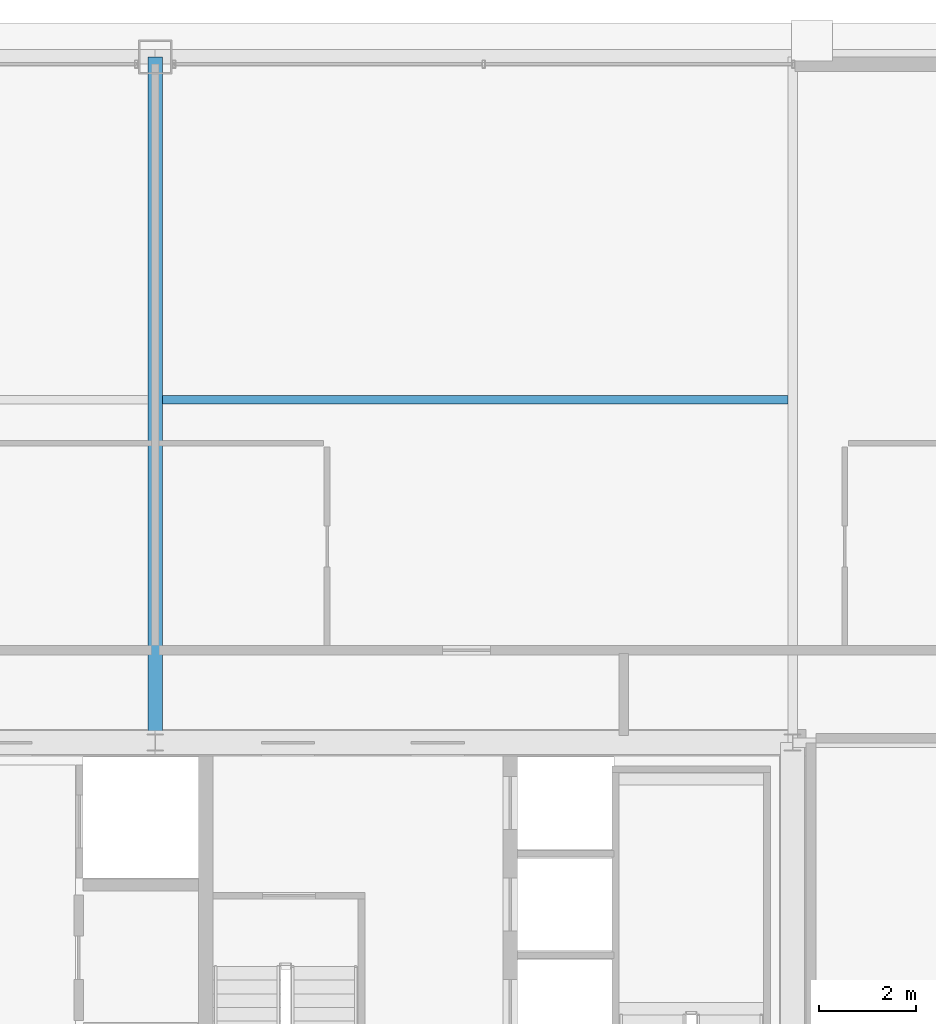
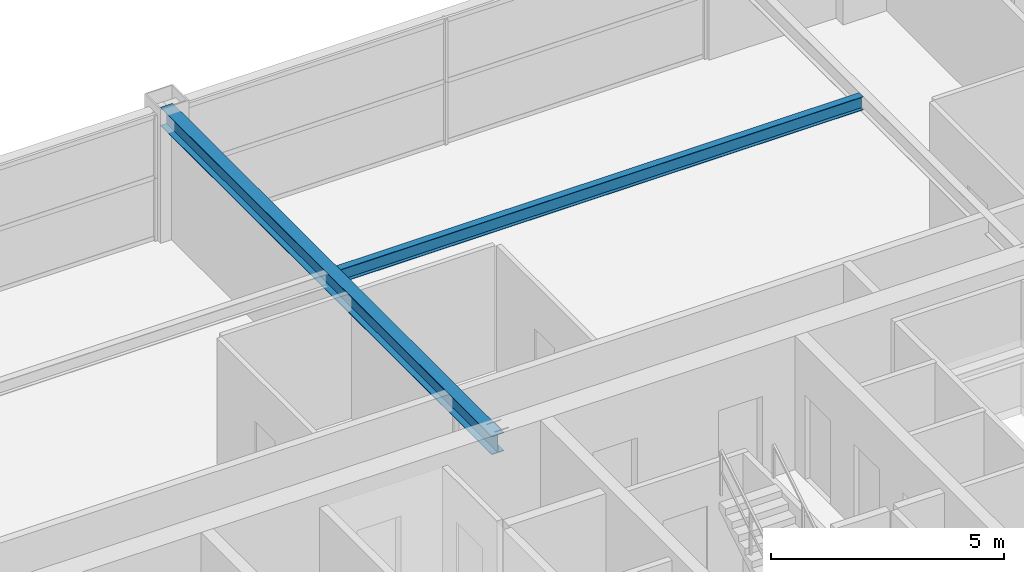
# One storey, part 28 of 37: 2 beams.
"""IFC4 building model written with IfcOpenShell, lengths in metres."""

from ifc_helpers import new_model, si_unit, direction, frame, origin, origin_2d, place, context, subcontext, project, spatial, i_section, extrude, source, transform, mapped, material, material_profile, profile_set, type_object, element, save


model = new_model("IFC4")

# Units and contexts
model_context = context("Model", 3, precision=1e-05, world=origin(), true_north=direction((0.0, 1.0)))
body_context = subcontext(model_context, "Body", "Model", "MODEL_VIEW")
ifc_project = project(units=[si_unit("LENGTHUNIT", "METRE"), si_unit("AREAUNIT", "SQUARE_METRE"), si_unit("VOLUMEUNIT", "CUBIC_METRE"), si_unit("PLANEANGLEUNIT", "RADIAN"), si_unit("MASSUNIT", "GRAM", prefix="KILO"), si_unit("THERMODYNAMICTEMPERATUREUNIT", "KELVIN"), si_unit("POWERUNIT", "WATT")], contexts=[model_context])

# Site, building, storey
site_placement = place(None, origin())
site = spatial("IfcSite", under=ifc_project, at=site_placement, CompositionType="ELEMENT")
building_placement = place(site_placement, origin())
building = spatial("IfcBuilding", under=site, at=building_placement, Name="Yuzanri Waterfront Tower", CompositionType="ELEMENT")
storey_placement = place(building_placement, frame((0.0, 0.0, 268.10009765625)))
storey = spatial("IfcBuildingStorey", under=building, at=storey_placement, Name="L71", CompositionType="ELEMENT", Elevation=268.10009765625)

# Beams
ifc_material_1 = material(Name="Steel Q355B", Category="steel")
ifc_material_profile_1 = material_profile(ifc_material_1, i_section(OverallWidth=0.300048828125, OverallDepth=0.488037109375, WebThickness=0.010986328125, FlangeThickness=0.01806640625, at=origin_2d()), Name="HM 488x300x11x18")
ifc_profile_set_1 = profile_set([ifc_material_profile_1], Name="Steel Q355B")
beam_type_1 = type_object("IfcBeamType", Name="Primary Floor Girder Q355B HM 488x300", PredefinedType="BEAM", material=ifc_profile_set_1)
shared_shape_1 = source(origin(), body_context, "Body", "SweptSolid", [
    extrude(i_section(OverallWidth=0.300048828125, OverallDepth=0.488037109375, WebThickness=0.010986328125, FlangeThickness=0.01806640625, at=origin_2d()), origin(), (0.0, 0.0, 1.0), 14.199951171875),
])
beam_1_placement = place(storey_placement, frame((37.0, 32.199951171875, 3.035888671875), z_axis=(0.0, 1.0, 0.0), x_axis=(-1.0, 0.0, 0.0)))
element("IfcBeam", 1, at=beam_1_placement, inside=storey, type_object=beam_type_1, Name="L71 North Grid Girder", PredefinedType="BEAM", context=body_context, shape_type="MappedRepresentation", body=[
    mapped(shared_shape_1, transform((0.0, 0.0, 0.0), scale=1.0)),
])
ifc_material_2 = material(Name="Steel Q355B", Category="steel")
ifc_material_profile_2 = material_profile(ifc_material_2, i_section(OverallWidth=0.175048828125, OverallDepth=0.35009765625, WebThickness=0.007080078125, FlangeThickness=0.010986328125, at=origin_2d()), Name="HN 350x175x7x11")
ifc_profile_set_2 = profile_set([ifc_material_profile_2], Name="Steel Q355B")
beam_type_2 = type_object("IfcBeamType", Name="Floor Joist Q355B HN 350x175", PredefinedType="JOIST", material=ifc_profile_set_2)
shared_shape_2 = source(origin(), body_context, "Body", "SweptSolid", [
    extrude(i_section(OverallWidth=0.175048828125, OverallDepth=0.35009765625, WebThickness=0.007080078125, FlangeThickness=0.010986328125, at=origin_2d()), origin(), (0.0, 0.0, 1.0), 12.9501953125),
])
beam_2_placement = place(storey_placement, frame((37.14990234375, 39.300048828125, 3.10498046875), z_axis=(1.0, 0.0, 0.0), x_axis=(0.0, 1.0, 0.0)))
element("IfcBeam", 2, at=beam_2_placement, inside=storey, type_object=beam_type_2, Name="L71 North Bay Joist E", PredefinedType="JOIST", context=body_context, shape_type="MappedRepresentation", body=[
    mapped(shared_shape_2, transform((0.0, 0.0, 0.0), scale=1.0)),
])

save(model, "model.ifc")
